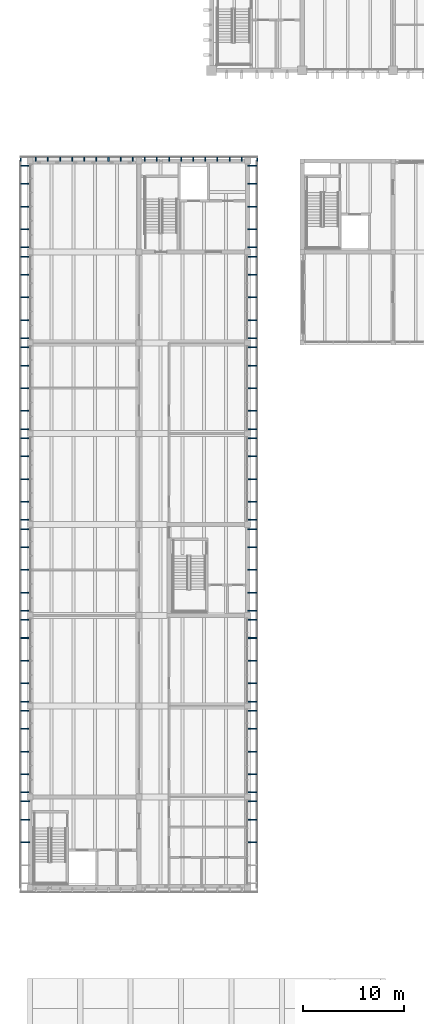
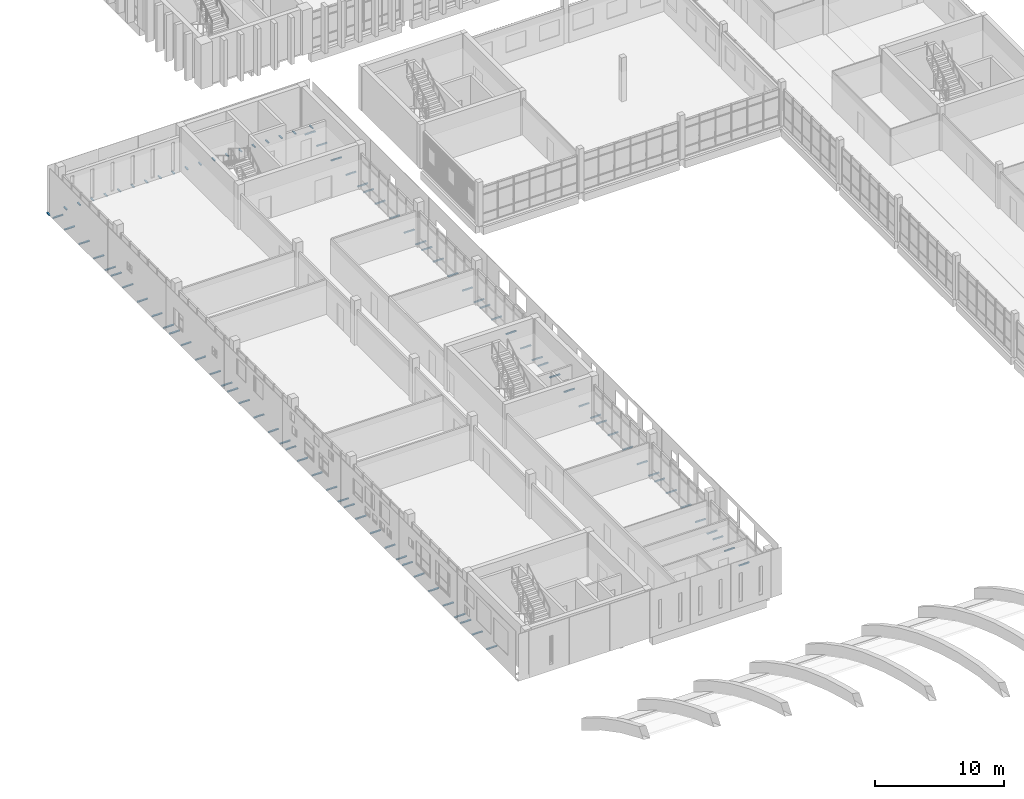
# One storey, part 64 of 88: 96 discrete accessories.
"""IFC4 building model written with IfcOpenShell, lengths in metres."""

from ifc_helpers import new_model, si_unit, direction, frame, origin, place, context, subcontext, project, spatial, polyline, outline, extrude, source, transform, mapped, material, type_object, element, save


model = new_model("IFC4")

# Units and contexts
model_context = context("Model", 3, precision=1e-05, world=origin(), true_north=direction((0.0, 1.0)))
body_context = subcontext(model_context, "Body", "Model", "MODEL_VIEW")
ifc_project = project(units=[si_unit("LENGTHUNIT", "METRE"), si_unit("AREAUNIT", "SQUARE_METRE"), si_unit("VOLUMEUNIT", "CUBIC_METRE"), si_unit("PLANEANGLEUNIT", "RADIAN"), si_unit("MASSUNIT", "GRAM", prefix="KILO")], contexts=[model_context])

# Site, building, storey
site_placement = place(None, origin())
site = spatial("IfcSite", under=ifc_project, at=site_placement, CompositionType="ELEMENT")
building_placement = place(site_placement, origin())
building = spatial("IfcBuilding", under=site, at=building_placement, Name="Merrow Basin Faculty of Sciences", CompositionType="ELEMENT")
storey_placement = place(building_placement, frame((0.0, 0.0, 9.0)))
storey = spatial("IfcBuildingStorey", under=building, at=storey_placement, Name="L02", CompositionType="ELEMENT", Elevation=9.0)

# Discrete accessories
ifc_material_1 = material(Name="Steel ASTM A572 Gr 50", Category="steel")
discrete_accessory_type_1 = type_object("IfcDiscreteAccessoryType", Name="Steel T bracket 100 x 80", PredefinedType="BRACKET", material=ifc_material_1)
shared_shape_1 = source(origin(), body_context, "Body", "SweptSolid", [
    extrude(outline(polyline([(0.0, 0.0), (0.10009765625, 0.0), (0.10009765625, 0.080078125), (0.0, 0.080078125), (0.0, 0.0)])), origin(), (0.0, 0.0, 1.0), 0.89990234375),
])
for number, where, z_axis, x_axis, name in (
    (1, (-0.89990234375, 65.449951171875, -0.2900390625), (1.0, 0.0, 0.0), (0.0, 1.0, 0.0), "Bracket WL02-01"),
    (2, (-0.89990234375, 67.699951171875, -0.2900390625), (1.0, 0.0, 0.0), (0.0, 1.0, 0.0), "Bracket WL02-01"),
    (3, (-0.89990234375, 69.5, -0.2900390625), (1.0, 0.0, 0.0), (0.0, 1.0, 0.0), "Bracket WL02-01"),
    (4, (22.5, 69.60009765625, -0.2900390625), (-1.0, 0.0, 0.0), (0.0, -1.0, 0.0), "Bracket EL02-01"),
    (5, (22.5, 67.800048828125, -0.2900390625), (-1.0, 0.0, 0.0), (0.0, -1.0, 0.0), "Bracket EL02-01"),
    (6, (22.5, 65.550048828125, -0.2900390625), (-1.0, 0.0, 0.0), (0.0, -1.0, 0.0), "Bracket EL02-01"),
    (7, (-0.89990234375, 70.39990234375, -0.2900390625), (1.0, 0.0, 0.0), (0.0, 1.0, 0.0), "Bracket WL02-02"),
    (8, (-0.89990234375, 72.199951171875, -0.2900390625), (1.0, 0.0, 0.0), (0.0, 1.0, 0.0), "Bracket WL02-02"),
    (9, (-0.89990234375, 74.449951171875, -0.2900390625), (1.0, 0.0, 0.0), (0.0, 1.0, 0.0), "Bracket WL02-02"),
    (10, (-0.89990234375, 76.699951171875, -0.2900390625), (1.0, 0.0, 0.0), (0.0, 1.0, 0.0), "Bracket WL02-02"),
    (11, (-0.89990234375, 78.5, -0.2900390625), (1.0, 0.0, 0.0), (0.0, 1.0, 0.0), "Bracket WL02-02"),
    (12, (22.5, 78.60009765625, -0.2900390625), (-1.0, 0.0, 0.0), (0.0, -1.0, 0.0), "Bracket EL02-02"),
    (13, (22.5, 76.800048828125, -0.2900390625), (-1.0, 0.0, 0.0), (0.0, -1.0, 0.0), "Bracket EL02-02"),
    (14, (22.5, 74.550048828125, -0.2900390625), (-1.0, 0.0, 0.0), (0.0, -1.0, 0.0), "Bracket EL02-02"),
    (15, (22.5, 72.300048828125, -0.2900390625), (-1.0, 0.0, 0.0), (0.0, -1.0, 0.0), "Bracket EL02-02"),
    (16, (22.5, 70.5, -0.2900390625), (-1.0, 0.0, 0.0), (0.0, -1.0, 0.0), "Bracket EL02-02"),
    (17, (-0.89990234375, 79.39990234375, -0.2900390625), (1.0, 0.0, 0.0), (0.0, 1.0, 0.0), "Bracket WL02-03"),
    (18, (-0.89990234375, 81.199951171875, -0.2900390625), (1.0, 0.0, 0.0), (0.0, 1.0, 0.0), "Bracket WL02-03"),
    (19, (-0.89990234375, 83.449951171875, -0.2900390625), (1.0, 0.0, 0.0), (0.0, 1.0, 0.0), "Bracket WL02-03"),
    (20, (-0.89990234375, 85.699951171875, -0.2900390625), (1.0, 0.0, 0.0), (0.0, 1.0, 0.0), "Bracket WL02-03"),
    (21, (-0.89990234375, 87.5, -0.2900390625), (1.0, 0.0, 0.0), (0.0, 1.0, 0.0), "Bracket WL02-03"),
    (22, (22.5, 87.60009765625, -0.2900390625), (-1.0, 0.0, 0.0), (0.0, -1.0, 0.0), "Bracket EL02-03"),
    (23, (22.5, 85.800048828125, -0.2900390625), (-1.0, 0.0, 0.0), (0.0, -1.0, 0.0), "Bracket EL02-03"),
    (24, (22.5, 83.550048828125, -0.2900390625), (-1.0, 0.0, 0.0), (0.0, -1.0, 0.0), "Bracket EL02-03"),
    (25, (22.5, 81.300048828125, -0.2900390625), (-1.0, 0.0, 0.0), (0.0, -1.0, 0.0), "Bracket EL02-03"),
    (26, (22.5, 79.5, -0.2900390625), (-1.0, 0.0, 0.0), (0.0, -1.0, 0.0), "Bracket EL02-03"),
    (27, (-0.89990234375, 88.39990234375, -0.2900390625), (1.0, 0.0, 0.0), (0.0, 1.0, 0.0), "Bracket WL02-04"),
    (28, (-0.89990234375, 90.199951171875, -0.2900390625), (1.0, 0.0, 0.0), (0.0, 1.0, 0.0), "Bracket WL02-04"),
    (29, (-0.89990234375, 92.449951171875, -0.2900390625), (1.0, 0.0, 0.0), (0.0, 1.0, 0.0), "Bracket WL02-04"),
    (30, (-0.89990234375, 94.699951171875, -0.2900390625), (1.0, 0.0, 0.0), (0.0, 1.0, 0.0), "Bracket WL02-04"),
    (31, (-0.89990234375, 96.5, -0.2900390625), (1.0, 0.0, 0.0), (0.0, 1.0, 0.0), "Bracket WL02-04"),
    (32, (22.5, 96.60009765625, -0.2900390625), (-1.0, 0.0, 0.0), (0.0, -1.0, 0.0), "Bracket EL02-04"),
    (33, (22.5, 94.800048828125, -0.2900390625), (-1.0, 0.0, 0.0), (0.0, -1.0, 0.0), "Bracket EL02-04"),
    (34, (22.5, 92.550048828125, -0.2900390625), (-1.0, 0.0, 0.0), (0.0, -1.0, 0.0), "Bracket EL02-04"),
    (35, (22.5, 90.300048828125, -0.2900390625), (-1.0, 0.0, 0.0), (0.0, -1.0, 0.0), "Bracket EL02-04"),
    (36, (22.5, 88.5, -0.2900390625), (-1.0, 0.0, 0.0), (0.0, -1.0, 0.0), "Bracket EL02-04"),
    (37, (-0.89990234375, 97.39990234375, -0.2900390625), (1.0, 0.0, 0.0), (0.0, 1.0, 0.0), "Bracket WL02-05"),
    (38, (-0.89990234375, 99.199951171875, -0.2900390625), (1.0, 0.0, 0.0), (0.0, 1.0, 0.0), "Bracket WL02-05"),
    (39, (-0.89990234375, 101.449951171875, -0.2900390625), (1.0, 0.0, 0.0), (0.0, 1.0, 0.0), "Bracket WL02-05"),
    (40, (-0.89990234375, 103.699951171875, -0.2900390625), (1.0, 0.0, 0.0), (0.0, 1.0, 0.0), "Bracket WL02-05"),
    (41, (-0.89990234375, 105.5, -0.2900390625), (1.0, 0.0, 0.0), (0.0, 1.0, 0.0), "Bracket WL02-05"),
    (42, (22.5, 105.60009765625, -0.2900390625), (-1.0, 0.0, 0.0), (0.0, -1.0, 0.0), "Bracket EL02-05"),
    (43, (22.5, 103.800048828125, -0.2900390625), (-1.0, 0.0, 0.0), (0.0, -1.0, 0.0), "Bracket EL02-05"),
    (44, (22.5, 101.550048828125, -0.2900390625), (-1.0, 0.0, 0.0), (0.0, -1.0, 0.0), "Bracket EL02-05"),
    (45, (22.5, 99.300048828125, -0.2900390625), (-1.0, 0.0, 0.0), (0.0, -1.0, 0.0), "Bracket EL02-05"),
    (46, (22.5, 97.5, -0.2900390625), (-1.0, 0.0, 0.0), (0.0, -1.0, 0.0), "Bracket EL02-05"),
    (47, (-0.89990234375, 106.39990234375, -0.2900390625), (1.0, 0.0, 0.0), (0.0, 1.0, 0.0), "Bracket WL02-06"),
    (48, (-0.89990234375, 108.199951171875, -0.2900390625), (1.0, 0.0, 0.0), (0.0, 1.0, 0.0), "Bracket WL02-06"),
    (49, (-0.89990234375, 110.449951171875, -0.2900390625), (1.0, 0.0, 0.0), (0.0, 1.0, 0.0), "Bracket WL02-06"),
    (50, (-0.89990234375, 112.699951171875, -0.2900390625), (1.0, 0.0, 0.0), (0.0, 1.0, 0.0), "Bracket WL02-06"),
    (51, (-0.89990234375, 114.5, -0.2900390625), (1.0, 0.0, 0.0), (0.0, 1.0, 0.0), "Bracket WL02-06"),
    (52, (22.5, 114.60009765625, -0.2900390625), (-1.0, 0.0, 0.0), (0.0, -1.0, 0.0), "Bracket EL02-06"),
    (53, (22.5, 112.800048828125, -0.2900390625), (-1.0, 0.0, 0.0), (0.0, -1.0, 0.0), "Bracket EL02-06"),
    (54, (22.5, 110.550048828125, -0.2900390625), (-1.0, 0.0, 0.0), (0.0, -1.0, 0.0), "Bracket EL02-06"),
    (55, (22.5, 108.300048828125, -0.2900390625), (-1.0, 0.0, 0.0), (0.0, -1.0, 0.0), "Bracket EL02-06"),
    (56, (22.5, 106.5, -0.2900390625), (-1.0, 0.0, 0.0), (0.0, -1.0, 0.0), "Bracket EL02-06"),
    (57, (-0.89990234375, 115.39990234375, -0.2900390625), (1.0, 0.0, 0.0), (0.0, 1.0, 0.0), "Bracket WL02-07"),
    (58, (-0.89990234375, 117.199951171875, -0.2900390625), (1.0, 0.0, 0.0), (0.0, 1.0, 0.0), "Bracket WL02-07"),
    (59, (-0.89990234375, 119.449951171875, -0.2900390625), (1.0, 0.0, 0.0), (0.0, 1.0, 0.0), "Bracket WL02-07"),
    (60, (-0.89990234375, 121.699951171875, -0.2900390625), (1.0, 0.0, 0.0), (0.0, 1.0, 0.0), "Bracket WL02-07"),
    (61, (-0.89990234375, 123.5, -0.2900390625), (1.0, 0.0, 0.0), (0.0, 1.0, 0.0), "Bracket WL02-07"),
    (62, (22.5, 123.60009765625, -0.2900390625), (-1.0, 0.0, 0.0), (0.0, -1.0, 0.0), "Bracket EL02-07"),
    (63, (22.5, 121.800048828125, -0.2900390625), (-1.0, 0.0, 0.0), (0.0, -1.0, 0.0), "Bracket EL02-07"),
    (64, (22.5, 119.550048828125, -0.2900390625), (-1.0, 0.0, 0.0), (0.0, -1.0, 0.0), "Bracket EL02-07"),
    (65, (22.5, 117.300048828125, -0.2900390625), (-1.0, 0.0, 0.0), (0.0, -1.0, 0.0), "Bracket EL02-07"),
    (66, (22.5, 115.5, -0.2900390625), (-1.0, 0.0, 0.0), (0.0, -1.0, 0.0), "Bracket EL02-07"),
    (67, (-0.89990234375, 124.39990234375, -0.2900390625), (1.0, 0.0, 0.0), (0.0, 1.0, 0.0), "Bracket WL02-08"),
    (68, (-0.89990234375, 126.199951171875, -0.2900390625), (1.0, 0.0, 0.0), (0.0, 1.0, 0.0), "Bracket WL02-08"),
    (69, (-0.89990234375, 128.449951171875, -0.2900390625), (1.0, 0.0, 0.0), (0.0, 1.0, 0.0), "Bracket WL02-08"),
    (70, (-0.89990234375, 130.699951171875, -0.2900390625), (1.0, 0.0, 0.0), (0.0, 1.0, 0.0), "Bracket WL02-08"),
    (71, (-0.89990234375, 132.5, -0.2900390625), (1.0, 0.0, 0.0), (0.0, 1.0, 0.0), "Bracket WL02-08"),
    (72, (22.5, 132.60009765625, -0.2900390625), (-1.0, 0.0, 0.0), (0.0, -1.0, 0.0), "Bracket EL02-08"),
    (73, (22.5, 130.800048828125, -0.2900390625), (-1.0, 0.0, 0.0), (0.0, -1.0, 0.0), "Bracket EL02-08"),
    (74, (22.5, 128.550048828125, -0.2900390625), (-1.0, 0.0, 0.0), (0.0, -1.0, 0.0), "Bracket EL02-08"),
    (75, (22.5, 126.300048828125, -0.2900390625), (-1.0, 0.0, 0.0), (0.0, -1.0, 0.0), "Bracket EL02-08"),
    (76, (22.5, 124.5, -0.2900390625), (-1.0, 0.0, 0.0), (0.0, -1.0, 0.0), "Bracket EL02-08"),
):
    element("IfcDiscreteAccessory", number, at=place(storey_placement, frame(where, z_axis=z_axis, x_axis=x_axis)), inside=storey, type_object=discrete_accessory_type_1, Name=name, PredefinedType="BRACKET", context=body_context, shape_type="MappedRepresentation", body=[
        mapped(shared_shape_1, transform((0.0, 0.0, 0.0), scale=1.0)),
    ])
ifc_material_2 = material(Name="Steel ASTM A572 Gr 50", Category="steel")
discrete_accessory_type_2 = type_object("IfcDiscreteAccessoryType", Name="Steel T bracket 100 x 80 corner", PredefinedType="BRACKET", material=ifc_material_2)
shared_shape_2 = source(origin(), body_context, "Body", "SweptSolid", [
    extrude(outline(polyline([(0.0, 0.0), (0.10009765625, 0.0), (0.10009765625, 0.080078125), (0.0, 0.080078125), (0.0, 0.0)])), origin(), (0.0, 0.0, 1.0), 0.419921875),
])
for number, where, z_axis, x_axis, name in (
    (77, (-0.969970703125, 133.39990234375, -0.2900390625), (0.0, -1.0, 0.0), (1.0, 0.0, 0.0), "End corner bracket NL02-01"),
    (78, (22.469970703125, 133.39990234375, -0.2900390625), (0.0, -1.0, 0.0), (1.0, 0.0, 0.0), "End corner bracket NL02-08"),
):
    element("IfcDiscreteAccessory", number, at=place(storey_placement, frame(where, z_axis=z_axis, x_axis=x_axis)), inside=storey, type_object=discrete_accessory_type_2, Name=name, PredefinedType="BRACKET", context=body_context, shape_type="MappedRepresentation", body=[
        mapped(shared_shape_2, transform((0.0, 0.0, 0.0), scale=1.0)),
    ])
ifc_material_3 = material(Name="Steel ASTM A572 Gr 50", Category="steel")
discrete_accessory_type_3 = type_object("IfcDiscreteAccessoryType", Name="Steel T bracket 100 x 80 short", PredefinedType="BRACKET", material=ifc_material_3)
shared_shape_3 = source(origin(), body_context, "Body", "SweptSolid", [
    extrude(outline(polyline([(0.0, 0.0), (0.10009765625, 0.0), (0.10009765625, 0.080078125), (0.0, 0.080078125), (0.0, 0.0)])), origin(), (0.0, 0.0, 1.0), 0.39990234375),
])
for number, where, z_axis, x_axis, name in (
    (79, (0.550048828125, 133.39990234375, -0.2900390625), (0.0, -1.0, 0.0), (1.0, 0.0, 0.0), "End bracket NL02-02-1"),
    (80, (1.75, 133.39990234375, -0.2900390625), (0.0, -1.0, 0.0), (1.0, 0.0, 0.0), "End bracket NL02-02-2"),
    (81, (2.949951171875, 133.39990234375, -0.2900390625), (0.0, -1.0, 0.0), (1.0, 0.0, 0.0), "End bracket NL02-02-3"),
    (82, (4.14990234375, 133.39990234375, -0.2900390625), (0.0, -1.0, 0.0), (1.0, 0.0, 0.0), "End bracket NL02-03-1"),
    (83, (5.35009765625, 133.39990234375, -0.2900390625), (0.0, -1.0, 0.0), (1.0, 0.0, 0.0), "End bracket NL02-03-2"),
    (84, (6.550048828125, 133.39990234375, -0.2900390625), (0.0, -1.0, 0.0), (1.0, 0.0, 0.0), "End bracket NL02-03-3"),
    (85, (7.75, 133.39990234375, -0.2900390625), (0.0, -1.0, 0.0), (1.0, 0.0, 0.0), "End bracket NL02-04-1"),
    (86, (8.949951171875, 133.39990234375, -0.2900390625), (0.0, -1.0, 0.0), (1.0, 0.0, 0.0), "End bracket NL02-04-2"),
    (87, (10.14990234375, 133.39990234375, -0.2900390625), (0.0, -1.0, 0.0), (1.0, 0.0, 0.0), "End bracket NL02-04-3"),
    (88, (11.35009765625, 133.39990234375, -0.2900390625), (0.0, -1.0, 0.0), (1.0, 0.0, 0.0), "End bracket NL02-05-1"),
    (89, (12.550048828125, 133.39990234375, -0.2900390625), (0.0, -1.0, 0.0), (1.0, 0.0, 0.0), "End bracket NL02-05-2"),
    (90, (13.75, 133.39990234375, -0.2900390625), (0.0, -1.0, 0.0), (1.0, 0.0, 0.0), "End bracket NL02-05-3"),
    (91, (14.949951171875, 133.39990234375, -0.2900390625), (0.0, -1.0, 0.0), (1.0, 0.0, 0.0), "End bracket NL02-06-1"),
    (92, (16.14990234375, 133.39990234375, -0.2900390625), (0.0, -1.0, 0.0), (1.0, 0.0, 0.0), "End bracket NL02-06-2"),
    (93, (17.35009765625, 133.39990234375, -0.2900390625), (0.0, -1.0, 0.0), (1.0, 0.0, 0.0), "End bracket NL02-06-3"),
    (94, (18.550048828125, 133.39990234375, -0.2900390625), (0.0, -1.0, 0.0), (1.0, 0.0, 0.0), "End bracket NL02-07-1"),
    (95, (19.75, 133.39990234375, -0.2900390625), (0.0, -1.0, 0.0), (1.0, 0.0, 0.0), "End bracket NL02-07-2"),
    (96, (20.949951171875, 133.39990234375, -0.2900390625), (0.0, -1.0, 0.0), (1.0, 0.0, 0.0), "End bracket NL02-07-3"),
):
    element("IfcDiscreteAccessory", number, at=place(storey_placement, frame(where, z_axis=z_axis, x_axis=x_axis)), inside=storey, type_object=discrete_accessory_type_3, Name=name, PredefinedType="BRACKET", context=body_context, shape_type="MappedRepresentation", body=[
        mapped(shared_shape_3, transform((0.0, 0.0, 0.0), scale=1.0)),
    ])

save(model, "model.ifc")
